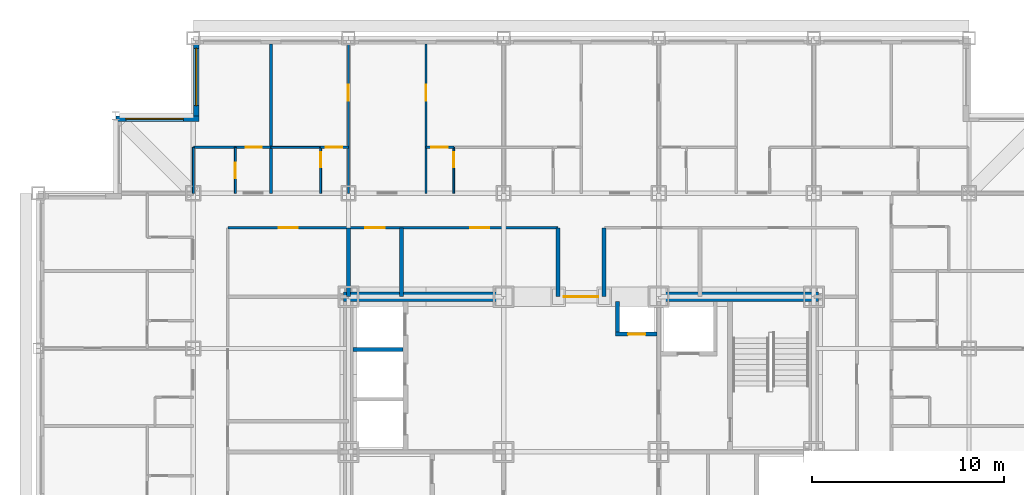
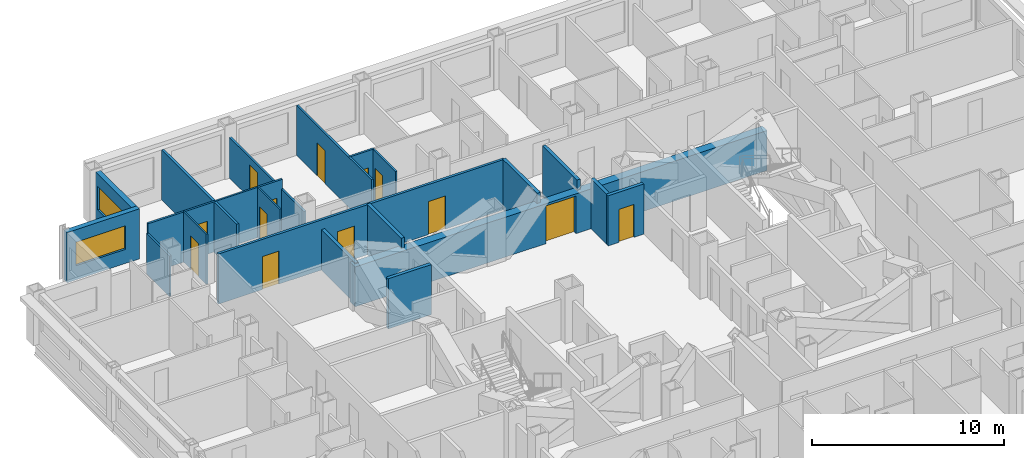
# One storey, part 10 of 15: 22 walls, 13 doors, 2 windows, 15 openings.
"""IFC4 building model written with IfcOpenShell, lengths in metres."""

import ifcopenshell
import ifcopenshell.guid

model = None  # the IFC model being written
_history = None  # IfcOwnerHistory: only IFC2X3 demands one
_inside = {}  # id of a spatial element -> (the spatial element, [elements in it])
_under = {}  # id of a project, library or spatial element -> (it, [spatial elements below it])
_declared = {}  # id of a project -> (the project, [libraries it declares])
_typed = {}  # id of a type object -> (the type object, [elements of that type])
_made_of = {}  # id of a material, layer set ... -> (it, [elements and type objects made of it])


def new_model(schema):
    """Start an empty IFC model of exactly this schema.

    Asked for "IFC4X3", IfcOpenShell would pick the latest addendum, in which some entities
    have other attributes; the version numbers below select the first issue.
    IFC2X3 requires an IfcOwnerHistory on every rooted entity: one is made here for all.
    """
    global model, _history
    if schema == "IFC4X3":
        model = ifcopenshell.file(schema_version=(4, 3, 0, 0))
    else:
        model = ifcopenshell.file(schema=schema)
    _inside.clear()
    _under.clear()
    _declared.clear()
    _typed.clear()
    _made_of.clear()
    _history = None
    if model.schema == "IFC2X3":
        org = make("IfcOrganization", Name="unknown")
        user = make(
            "IfcPersonAndOrganization",
            ThePerson=make("IfcPerson", FamilyName="unknown"),
            TheOrganization=org,
        )
        app = make(
            "IfcApplication",
            ApplicationDeveloper=org,
            Version="unknown",
            ApplicationFullName="unknown",
            ApplicationIdentifier="unknown",
        )
        _history = make(
            "IfcOwnerHistory",
            OwningUser=user,
            OwningApplication=app,
            ChangeAction="ADDED",
            CreationDate=0,
        )
    return model


def make(cls, **values):
    """One entity of the class cls with the attributes given. An attribute that is None is left unset."""
    return model.create_entity(
        cls, **{name: value for name, value in values.items() if value is not None}
    )


def rooted(cls, **values):
    """An entity with a GlobalId (a new one), such as an element, a storey or a relation."""
    return make(cls, GlobalId=ifcopenshell.guid.new(), OwnerHistory=_history, **values)


def si_unit(unit_type, name, prefix=None):
    """IfcSIUnit, for example si_unit("LENGTHUNIT", "METRE", prefix="MILLI")."""
    return make("IfcSIUnit", UnitType=unit_type, Prefix=prefix, Name=name)


def assignment(units):
    """IfcUnitAssignment: the units of a project."""
    return None if units is None else make("IfcUnitAssignment", Units=units)


def point(xyz):
    """IfcCartesianPoint."""
    return None if xyz is None else make("IfcCartesianPoint", Coordinates=xyz)


def direction(xyz):
    """IfcDirection."""
    return None if xyz is None else make("IfcDirection", DirectionRatios=xyz)


def frame(location, z_axis=None, x_axis=None):
    """IfcAxis2Placement3D, a coordinate frame: its origin and axes. An axis left out is left unset."""
    return make(
        "IfcAxis2Placement3D",
        Location=point(location),
        Axis=direction(z_axis),
        RefDirection=direction(x_axis),
    )


def frame_2d(location, x_axis=None):
    """IfcAxis2Placement2D, a coordinate frame in the plane: its origin and x axis."""
    return make(
        "IfcAxis2Placement2D", Location=point(location), RefDirection=direction(x_axis)
    )


def origin():
    """The frame at (0, 0, 0) with its axes left unset."""
    return frame((0.0, 0.0, 0.0))


def place(relative_to, where):
    """IfcLocalPlacement: puts the frame where relative to a parent placement (None: the world)."""
    return make(
        "IfcLocalPlacement", PlacementRelTo=relative_to, RelativePlacement=where
    )


def context(
    kind, dimensions, precision=None, world=None, true_north=None, identifier=None
):
    """IfcGeometricRepresentationContext, for example the 3D "Model" context."""
    return make(
        "IfcGeometricRepresentationContext",
        ContextIdentifier=identifier,
        ContextType=kind,
        CoordinateSpaceDimension=dimensions,
        Precision=precision,
        WorldCoordinateSystem=world,
        TrueNorth=true_north,
    )


def subcontext(parent, identifier, kind, view, scale=None):
    """IfcGeometricRepresentationSubContext, for example "Body" below "Model"."""
    return make(
        "IfcGeometricRepresentationSubContext",
        ContextIdentifier=identifier,
        ContextType=kind,
        ParentContext=parent,
        TargetScale=scale,
        TargetView=view,
    )


def project(units=None, contexts=None):
    """IfcProject with its units and contexts."""
    return rooted(
        "IfcProject",
        Name="project",
        RepresentationContexts=contexts,
        UnitsInContext=assignment(units),
    )


def spatial(cls, under=None, at=None, **own):
    """A site, building, storey or space (cls), placed at a placement, below another one or the project."""
    s = rooted(cls, ObjectPlacement=at, **own)
    if under is not None:
        _under.setdefault(under.id(), (under, []))[1].append(s)
    return s


def profile(cls, at=None, kind="AREA", **sizes):
    """A parametric profile (cls). Its sizes go by their IFC names, for example OverallWidth=200.0."""
    return make(cls, ProfileType=kind, Position=at, **sizes)


def rectangle(**sizes):
    """IfcRectangleProfileDef."""
    return profile("IfcRectangleProfileDef", **sizes)


def extrude(swept, where, along, depth):
    """IfcExtrudedAreaSolid: the profile swept, set in the frame where, extruded along a direction by depth."""
    return make(
        "IfcExtrudedAreaSolid",
        SweptArea=swept,
        Position=where,
        ExtrudedDirection=direction(along),
        Depth=depth,
    )


def shape(context_of_items, identifier, shape_type, items):
    """IfcShapeRepresentation: the items that make up one representation, for example the "Body"."""
    return make(
        "IfcShapeRepresentation",
        ContextOfItems=context_of_items,
        RepresentationIdentifier=identifier,
        RepresentationType=shape_type,
        Items=items,
    )


def material(Name=None, Category=None):
    """IfcMaterial."""
    return make("IfcMaterial", Name=Name, Category=Category)


def layer(
    of_material, thickness, ventilated=None, Name=None, Category=None, Priority=None
):
    """IfcMaterialLayer: one layer of a wall or slab, of a material (None: an air gap)."""
    return make(
        "IfcMaterialLayer",
        Material=of_material,
        LayerThickness=thickness,
        IsVentilated=ventilated,
        Name=Name,
        Category=Category,
        Priority=Priority,
    )


def layer_set(layers, Name=None):
    """IfcMaterialLayerSet."""
    return make("IfcMaterialLayerSet", MaterialLayers=layers, LayerSetName=Name)


def made_of(thing, what):
    """Note that an element or type object is made of a material, layer set ...; save() writes the relation."""
    if what is not None:
        _made_of.setdefault(what.id(), (what, []))[1].append(thing)
    return thing


def type_object(cls, material=None, **own):
    """A type object (cls), such as IfcWallType, which elements share."""
    return made_of(rooted(cls, **own), material)


def element(
    cls,
    number,
    at=None,
    inside=None,
    cuts=None,
    type_object=None,
    material=None,
    context=None,
    identifier="Body",
    shape_type=None,
    held_by="IfcProductDefinitionShape",
    body=None,
    shapes=None,
    **own,
):
    """One element of the class cls, such as IfcWall. Its Tag is "e" and its number.

    at: its placement. inside: the storey or other place that contains it. cuts: it is an
    opening in that element (IfcRelVoidsElement). A single representation is given by context,
    identifier, shape_type and body (its items); several are given by shapes. held_by: the class
    of the entity that holds the representations. save() writes the other relations.
    """
    e = rooted(cls, Tag="e%d" % number, ObjectPlacement=at, **own)
    if body is not None:
        shapes = [shape(context, identifier, shape_type, body)]
    if shapes is not None:
        e.Representation = make(held_by, Representations=shapes)
    if inside is not None:
        _inside.setdefault(inside.id(), (inside, []))[1].append(e)
    if cuts is not None:
        rooted(
            "IfcRelVoidsElement", RelatingBuildingElement=cuts, RelatedOpeningElement=e
        )
    if type_object is not None:
        _typed.setdefault(type_object.id(), (type_object, []))[1].append(e)
    return made_of(e, material)


def fill(opening, filler):
    """IfcRelFillsElement: the door or window that sits in an opening."""
    return rooted(
        "IfcRelFillsElement",
        RelatingOpeningElement=opening,
        RelatedBuildingElement=filler,
    )


def aggregate(whole, parts):
    """IfcRelAggregates: a whole, such as a stair, and the parts it consists of."""
    return rooted("IfcRelAggregates", RelatingObject=whole, RelatedObjects=parts)


def save(model, path):
    """Write the relations noted so far, then the file.

    IfcRelAggregates (storeys below a building ...), IfcRelContainedInSpatialStructure (elements
    in a storey), IfcRelDefinesByType, IfcRelAssociatesMaterial and IfcRelDeclares: one each for
    every whole, place, type object, material and project.
    """
    for whole, parts in _under.values():
        aggregate(whole, parts)
    for where, things in _inside.values():
        rooted(
            "IfcRelContainedInSpatialStructure",
            RelatedElements=things,
            RelatingStructure=where,
        )
    for kind, things in _typed.values():
        rooted("IfcRelDefinesByType", RelatedObjects=things, RelatingType=kind)
    for what, things in _made_of.values():
        rooted("IfcRelAssociatesMaterial", RelatedObjects=things, RelatingMaterial=what)
    for by, libraries in _declared.values():
        rooted("IfcRelDeclares", RelatingContext=by, RelatedDefinitions=libraries)
    model.write(path)


model = new_model("IFC4")

# Units and contexts
model_context = context("Model", 3, precision=1e-05, world=origin(), true_north=direction((0.0, 1.0)))
body_context = subcontext(model_context, "Body", "Model", "MODEL_VIEW")
ifc_project = project(units=[si_unit("LENGTHUNIT", "METRE"), si_unit("AREAUNIT", "SQUARE_METRE"), si_unit("VOLUMEUNIT", "CUBIC_METRE"), si_unit("PLANEANGLEUNIT", "RADIAN"), si_unit("MASSUNIT", "GRAM", prefix="KILO")], contexts=[model_context])

# Site, building, storey
site_placement = place(None, origin())
site = spatial("IfcSite", under=ifc_project, at=site_placement, CompositionType="ELEMENT")
building_placement = place(site_placement, origin())
building = spatial("IfcBuilding", under=site, at=building_placement, Name="Kopane Lantern Tower", CompositionType="ELEMENT")
storey_placement = place(building_placement, frame((0.0, 0.0, 140.800048828125)))
storey = spatial("IfcBuildingStorey", under=building, at=storey_placement, Name="L36", CompositionType="ELEMENT", Elevation=140.800048828125)

# Wall, opening, door
ifc_material_1 = material(Name="Gypsum board on steel studs", Category="steel")
ifc_layer_1 = layer(ifc_material_1, 0.1201171875)
ifc_layer_set_1 = layer_set([ifc_layer_1], Name="APARTMENT INTERNAL WALL 120")
wall_type_1 = type_object("IfcWallType", Name="APARTMENT INTERNAL WALL 120", PredefinedType="PARTITIONING", material=ifc_layer_set_1)
wall_1_placement = place(storey_placement, frame((16.199951171875, 45.89990234375, 0.0), z_axis=(0.0, 0.0, 1.0), x_axis=(0.0, 1.0, 0.0)))
wall_1 = element("IfcWall", 1, at=wall_1_placement, inside=storey, type_object=wall_type_1, Name="Apartment Internal Wall 120 L36", PredefinedType="PARTITIONING", context=body_context, shape_type="SweptSolid", body=[
    extrude(rectangle(XDim=7.800048828125, YDim=0.1201171875, at=frame_2d((3.89990234375, 0.0))), origin(), (0.0, 0.0, 1.0), 2.57763671875),
])
opening_1_placement = place(wall_1_placement, frame((4.824951171875, 0.0, 0.0)))
opening_1 = element("IfcOpeningElement", 2, at=opening_1_placement, cuts=wall_1, Name="Opening L36-033", PredefinedType="OPENING", context=body_context, shape_type="SweptSolid", body=[
    extrude(rectangle(XDim=0.85009765625, YDim=2.10009765625, at=frame_2d((0.425048828125, 1.050048828125))), frame((0.0, 0.070068359375, 0.0), z_axis=(0.0, -1.0, 0.0), x_axis=(1.0, 0.0, 0.0)), (0.0, 0.0, 1.0), 0.14013671875),
])
ifc_material_2 = material(Name="Timber door set", Category="wood")
door_type_1 = type_object("IfcDoorType", Name="DOOR D4 850x2100", OperationType="SINGLE_SWING_LEFT", PredefinedType="DOOR", material=ifc_material_2)
door_1_placement = place(opening_1_placement, origin())
door_1 = element("IfcDoor", 3, at=door_1_placement, inside=storey, type_object=door_type_1, Name="Door L36-033", OperationType="SINGLE_SWING_LEFT", OverallHeight=2.10009765625, OverallWidth=0.85009765625, PredefinedType="DOOR", context=body_context, shape_type="SweptSolid", body=[
    extrude(rectangle(XDim=0.85009765625, YDim=2.10009765625, at=frame_2d((0.425048828125, 1.050048828125))), frame((0.0, 0.02490234375, 0.0), z_axis=(0.0, -1.0, 0.0), x_axis=(1.0, 0.0, 0.0)), (0.0, 0.0, 1.0), 0.050048828125),
])
fill(opening_1, door_1)

wall_2_placement = place(storey_placement, frame((20.25, 45.89990234375, 0.0), z_axis=(0.0, 0.0, 1.0), x_axis=(0.0, 1.0, 0.0)))
wall_2 = element("IfcWall", 4, at=wall_2_placement, inside=storey, type_object=wall_type_1, Name="Apartment Internal Wall 120 L36", PredefinedType="PARTITIONING", context=body_context, shape_type="SweptSolid", body=[
    extrude(rectangle(XDim=7.800048828125, YDim=0.1201171875, at=frame_2d((3.89990234375, 0.0))), origin(), (0.0, 0.0, 1.0), 3.18994140625),
])
opening_2_placement = place(wall_2_placement, frame((4.824951171875, 0.0, 0.0)))
opening_2 = element("IfcOpeningElement", 5, at=opening_2_placement, cuts=wall_2, Name="Opening L36-035", PredefinedType="OPENING", context=body_context, shape_type="SweptSolid", body=[
    extrude(rectangle(XDim=0.85009765625, YDim=2.10009765625, at=frame_2d((0.425048828125, 1.050048828125))), frame((0.0, 0.070068359375, 0.0), z_axis=(0.0, -1.0, 0.0), x_axis=(1.0, 0.0, 0.0)), (0.0, 0.0, 1.0), 0.14013671875),
])
door_2_placement = place(opening_2_placement, origin())
door_2 = element("IfcDoor", 6, at=door_2_placement, inside=storey, type_object=door_type_1, Name="Door L36-035", OperationType="SINGLE_SWING_RIGHT", OverallHeight=2.10009765625, OverallWidth=0.85009765625, PredefinedType="DOOR", context=body_context, shape_type="SweptSolid", body=[
    extrude(rectangle(XDim=0.85009765625, YDim=2.10009765625, at=frame_2d((0.425048828125, 1.050048828125))), frame((0.0, 0.02490234375, 0.0), z_axis=(0.0, -1.0, 0.0), x_axis=(1.0, 0.0, 0.0)), (0.0, 0.0, 1.0), 0.050048828125),
])
fill(opening_2, door_2)

wall_3_placement = place(storey_placement, frame((8.10009765625, 48.300048828125, 0.0), z_axis=(0.0, 0.0, 1.0), x_axis=(1.0, 0.0, 0.0)))
wall_3 = element("IfcWall", 7, at=wall_3_placement, inside=storey, type_object=wall_type_1, Name="Apartment Internal Wall 120 L36", PredefinedType="PARTITIONING", context=body_context, shape_type="SweptSolid", body=[
    extrude(rectangle(XDim=4.0498046875, YDim=0.1201171875, at=frame_2d((2.02490234375, 0.0))), origin(), (0.0, 0.0, 1.0), 3.18994140625),
])
opening_3_placement = place(wall_3_placement, frame((2.72509765625, 0.0, 0.0)))
opening_3 = element("IfcOpeningElement", 8, at=opening_3_placement, cuts=wall_3, Name="Opening L36-086", PredefinedType="OPENING", context=body_context, shape_type="SweptSolid", body=[
    extrude(rectangle(XDim=0.85009765625, YDim=2.10009765625, at=frame_2d((0.425048828125, 1.050048828125))), frame((0.0, 0.070068359375, 0.0), z_axis=(0.0, -1.0, 0.0), x_axis=(1.0, 0.0, 0.0)), (0.0, 0.0, 1.0), 0.14013671875),
])
door_3_placement = place(opening_3_placement, origin())
door_3 = element("IfcDoor", 9, at=door_3_placement, inside=storey, type_object=door_type_1, Name="Door L36-086", OperationType="SINGLE_SWING_RIGHT", OverallHeight=2.10009765625, OverallWidth=0.85009765625, PredefinedType="DOOR", context=body_context, shape_type="SweptSolid", body=[
    extrude(rectangle(XDim=0.85009765625, YDim=2.10009765625, at=frame_2d((0.425048828125, 1.050048828125))), frame((0.0, 0.02490234375, 0.0), z_axis=(0.0, -1.0, 0.0), x_axis=(1.0, 0.0, 0.0)), (0.0, 0.0, 1.0), 0.050048828125),
])
fill(opening_3, door_3)

wall_4_placement = place(storey_placement, frame((14.739990234375, 48.300048828125, 0.0), z_axis=(0.0, 0.0, 1.0), x_axis=(1.0, 0.0, 0.0)))
wall_4 = element("IfcWall", 10, at=wall_4_placement, inside=storey, type_object=wall_type_1, Name="Apartment Internal Wall 120 L36", PredefinedType="PARTITIONING", context=body_context, shape_type="SweptSolid", body=[
    extrude(rectangle(XDim=1.4599609375, YDim=0.1201171875, at=frame_2d((0.72998046875, 0.0))), origin(), (0.0, 0.0, 1.0), 3.18994140625),
])
opening_4_placement = place(wall_4_placement, frame((0.27490234375, 0.0, 0.0)))
opening_4 = element("IfcOpeningElement", 11, at=opening_4_placement, cuts=wall_4, Name="Opening L36-090", PredefinedType="OPENING", context=body_context, shape_type="SweptSolid", body=[
    extrude(rectangle(XDim=0.85009765625, YDim=2.10009765625, at=frame_2d((0.425048828125, 1.050048828125))), frame((0.0, 0.070068359375, 0.0), z_axis=(0.0, -1.0, 0.0), x_axis=(1.0, 0.0, 0.0)), (0.0, 0.0, 1.0), 0.14013671875),
])
door_4_placement = place(opening_4_placement, origin())
door_4 = element("IfcDoor", 12, at=door_4_placement, inside=storey, type_object=door_type_1, Name="Door L36-090", OperationType="SINGLE_SWING_RIGHT", OverallHeight=2.10009765625, OverallWidth=0.85009765625, PredefinedType="DOOR", context=body_context, shape_type="SweptSolid", body=[
    extrude(rectangle(XDim=0.85009765625, YDim=2.10009765625, at=frame_2d((0.425048828125, 1.050048828125))), frame((0.0, 0.02490234375, 0.0), z_axis=(0.0, -1.0, 0.0), x_axis=(1.0, 0.0, 0.0)), (0.0, 0.0, 1.0), 0.050048828125),
])
fill(opening_4, door_4)

wall_5_placement = place(storey_placement, frame((20.25, 48.300048828125, 0.0), z_axis=(0.0, 0.0, 1.0), x_axis=(1.0, 0.0, 0.0)))
wall_5 = element("IfcWall", 13, at=wall_5_placement, inside=storey, type_object=wall_type_1, Name="Apartment Internal Wall 120 L36", PredefinedType="PARTITIONING", context=body_context, shape_type="SweptSolid", body=[
    extrude(rectangle(XDim=1.4599609375, YDim=0.1201171875, at=frame_2d((0.72998046875, 0.0))), origin(), (0.0, 0.0, 1.0), 3.18994140625),
])
opening_5_placement = place(wall_5_placement, frame((0.27490234375, 0.0, 0.0)))
opening_5 = element("IfcOpeningElement", 14, at=opening_5_placement, cuts=wall_5, Name="Opening L36-091", PredefinedType="OPENING", context=body_context, shape_type="SweptSolid", body=[
    extrude(rectangle(XDim=0.85009765625, YDim=2.10009765625, at=frame_2d((0.425048828125, 1.050048828125))), frame((0.0, 0.070068359375, 0.0), z_axis=(0.0, -1.0, 0.0), x_axis=(1.0, 0.0, 0.0)), (0.0, 0.0, 1.0), 0.14013671875),
])
door_5_placement = place(opening_5_placement, origin())
door_5 = element("IfcDoor", 15, at=door_5_placement, inside=storey, type_object=door_type_1, Name="Door L36-091", OperationType="SINGLE_SWING_LEFT", OverallHeight=2.10009765625, OverallWidth=0.85009765625, PredefinedType="DOOR", context=body_context, shape_type="SweptSolid", body=[
    extrude(rectangle(XDim=0.85009765625, YDim=2.10009765625, at=frame_2d((0.425048828125, 1.050048828125))), frame((0.0, 0.02490234375, 0.0), z_axis=(0.0, -1.0, 0.0), x_axis=(1.0, 0.0, 0.0)), (0.0, 0.0, 1.0), 0.050048828125),
])
fill(opening_5, door_5)

# Wall
ifc_material_3 = material(Name="Moisture-resistant board on steel studs", Category="steel")
ifc_layer_2 = layer(ifc_material_3, 0.10009765625)
ifc_layer_set_2 = layer_set([ifc_layer_2], Name="BATHROOM WALL 100")
wall_type_2 = type_object("IfcWallType", Name="BATHROOM WALL 100", PredefinedType="PARTITIONING", material=ifc_layer_set_2)
wall_6_placement = place(storey_placement, frame((12.14990234375, 48.300048828125, 0.0), z_axis=(0.0, 0.0, 1.0), x_axis=(1.0, 0.0, 0.0)))
element("IfcWall", 16, at=wall_6_placement, inside=storey, type_object=wall_type_2, Name="Bathroom Wall 100 L36", PredefinedType="PARTITIONING", context=body_context, shape_type="SweptSolid", body=[
    extrude(rectangle(XDim=2.60009765625, YDim=0.10009765625, at=frame_2d((1.300048828125, 0.0))), origin(), (0.0, 0.0, 1.0), 3.18994140625),
])

# Wall, opening, door
wall_7_placement = place(storey_placement, frame((14.75, 45.89990234375, 0.0), z_axis=(0.0, 0.0, 1.0), x_axis=(0.0, 1.0, 0.0)))
wall_7 = element("IfcWall", 17, at=wall_7_placement, inside=storey, type_object=wall_type_2, Name="Bathroom Wall 100 L36", PredefinedType="PARTITIONING", context=body_context, shape_type="SweptSolid", body=[
    extrude(rectangle(XDim=2.400146484375, YDim=0.10009765625, at=frame_2d((1.2001953125, 0.0))), origin(), (0.0, 0.0, 1.0), 3.18994140625),
])
opening_6_placement = place(wall_7_placement, frame((1.35009765625, 0.0, 0.0)))
opening_6 = element("IfcOpeningElement", 18, at=opening_6_placement, cuts=wall_7, Name="Opening L36-032", PredefinedType="OPENING", context=body_context, shape_type="SweptSolid", body=[
    extrude(rectangle(XDim=0.800048828125, YDim=2.10009765625, at=frame_2d((0.39990234375, 1.050048828125))), frame((0.0, 0.06005859375, 0.0), z_axis=(0.0, -1.0, 0.0), x_axis=(1.0, 0.0, 0.0)), (0.0, 0.0, 1.0), 0.1201171875),
])
ifc_material_4 = material(Name="Timber door set", Category="wood")
door_type_2 = type_object("IfcDoorType", Name="DOOR D2 800x2100", OperationType="SINGLE_SWING_LEFT", PredefinedType="DOOR", material=ifc_material_4)
door_6_placement = place(opening_6_placement, origin())
door_6 = element("IfcDoor", 19, at=door_6_placement, inside=storey, type_object=door_type_2, Name="Door L36-032", OperationType="SINGLE_SWING_LEFT", OverallHeight=2.10009765625, OverallWidth=0.800048828125, PredefinedType="DOOR", context=body_context, shape_type="SweptSolid", body=[
    extrude(rectangle(XDim=0.800048828125, YDim=2.10009765625, at=frame_2d((0.39990234375, 1.050048828125))), frame((0.0, 0.02490234375, 0.0), z_axis=(0.0, -1.0, 0.0), x_axis=(1.0, 0.0, 0.0)), (0.0, 0.0, 1.0), 0.050048828125),
])
fill(opening_6, door_6)

wall_8_placement = place(storey_placement, frame((21.699951171875, 45.89990234375, 0.0), z_axis=(0.0, 0.0, 1.0), x_axis=(0.0, 1.0, 0.0)))
wall_8 = element("IfcWall", 20, at=wall_8_placement, inside=storey, type_object=wall_type_2, Name="Bathroom Wall 100 L36", PredefinedType="PARTITIONING", context=body_context, shape_type="SweptSolid", body=[
    extrude(rectangle(XDim=2.400146484375, YDim=0.10009765625, at=frame_2d((1.2001953125, 0.0))), origin(), (0.0, 0.0, 1.0), 3.18994140625),
])
opening_7_placement = place(wall_8_placement, frame((1.35009765625, 0.0, 0.0)))
opening_7 = element("IfcOpeningElement", 21, at=opening_7_placement, cuts=wall_8, Name="Opening L36-034", PredefinedType="OPENING", context=body_context, shape_type="SweptSolid", body=[
    extrude(rectangle(XDim=0.800048828125, YDim=2.10009765625, at=frame_2d((0.39990234375, 1.050048828125))), frame((0.0, 0.06005859375, 0.0), z_axis=(0.0, -1.0, 0.0), x_axis=(1.0, 0.0, 0.0)), (0.0, 0.0, 1.0), 0.1201171875),
])
door_7_placement = place(opening_7_placement, origin())
door_7 = element("IfcDoor", 22, at=door_7_placement, inside=storey, type_object=door_type_2, Name="Door L36-034", OperationType="SINGLE_SWING_RIGHT", OverallHeight=2.10009765625, OverallWidth=0.800048828125, PredefinedType="DOOR", context=body_context, shape_type="SweptSolid", body=[
    extrude(rectangle(XDim=0.800048828125, YDim=2.10009765625, at=frame_2d((0.39990234375, 1.050048828125))), frame((0.0, 0.02490234375, 0.0), z_axis=(0.0, -1.0, 0.0), x_axis=(1.0, 0.0, 0.0)), (0.0, 0.0, 1.0), 0.050048828125),
])
fill(opening_7, door_7)

wall_9_placement = place(storey_placement, frame((10.300048828125, 45.89990234375, 0.0), z_axis=(0.0, 0.0, 1.0), x_axis=(0.0, 1.0, 0.0)))
wall_9 = element("IfcWall", 23, at=wall_9_placement, inside=storey, type_object=wall_type_2, Name="Bathroom Wall 100 L36", PredefinedType="PARTITIONING", context=body_context, shape_type="SweptSolid", body=[
    extrude(rectangle(XDim=2.400146484375, YDim=0.10009765625, at=frame_2d((1.2001953125, 0.0))), origin(), (0.0, 0.0, 1.0), 3.18994140625),
])
opening_8_placement = place(wall_9_placement, frame((0.800048828125, 0.0, 0.0)))
opening_8 = element("IfcOpeningElement", 24, at=opening_8_placement, cuts=wall_9, Name="Opening L36-084", PredefinedType="OPENING", context=body_context, shape_type="SweptSolid", body=[
    extrude(rectangle(XDim=0.800048828125, YDim=2.10009765625, at=frame_2d((0.39990234375, 1.050048828125))), frame((0.0, 0.06005859375, 0.0), z_axis=(0.0, -1.0, 0.0), x_axis=(1.0, 0.0, 0.0)), (0.0, 0.0, 1.0), 0.1201171875),
])
door_8_placement = place(opening_8_placement, origin())
door_8 = element("IfcDoor", 25, at=door_8_placement, inside=storey, type_object=door_type_2, Name="Door L36-084", OperationType="SINGLE_SWING_LEFT", OverallHeight=2.10009765625, OverallWidth=0.800048828125, PredefinedType="DOOR", context=body_context, shape_type="SweptSolid", body=[
    extrude(rectangle(XDim=0.800048828125, YDim=2.10009765625, at=frame_2d((0.39990234375, 1.050048828125))), frame((0.0, 0.02490234375, 0.0), z_axis=(0.0, -1.0, 0.0), x_axis=(1.0, 0.0, 0.0)), (0.0, 0.0, 1.0), 0.050048828125),
])
fill(opening_8, door_8)

# Wall
wall_10_placement = place(storey_placement, frame((8.10009765625, 45.89990234375, 0.0), z_axis=(0.0, 0.0, 1.0), x_axis=(0.0, 1.0, 0.0)))
element("IfcWall", 26, at=wall_10_placement, inside=storey, type_object=wall_type_2, Name="Bathroom Wall 100 L36", PredefinedType="PARTITIONING", context=body_context, shape_type="SweptSolid", body=[
    extrude(rectangle(XDim=2.400146484375, YDim=0.10009765625, at=frame_2d((1.2001953125, 0.0))), origin(), (0.0, 0.0, 1.0), 2.57763671875),
])

# Wall, opening, door
ifc_material_5 = material(Name="Gypsum shaft wall EI 120", Category="gypsum")
ifc_layer_3 = layer(ifc_material_5, 0.5)
ifc_layer_set_3 = layer_set([ifc_layer_3], Name="CORE PERIMETER WALL 500 EI 120")
wall_type_3 = type_object("IfcWallType", Name="CORE PERIMETER WALL 500 EI 120", PredefinedType="SOLIDWALL", material=ifc_layer_set_3)
wall_11_placement = place(storey_placement, frame((15.949951171875, 40.5, 0.0), z_axis=(0.0, 0.0, 1.0), x_axis=(1.0, 0.0, 0.0)))
wall_11 = element("IfcWall", 27, at=wall_11_placement, inside=storey, type_object=wall_type_3, Name="Core shaft wall L36 PN", PredefinedType="SOLIDWALL", context=body_context, shape_type="SweptSolid", body=[
    extrude(rectangle(XDim=24.800048828125, YDim=0.5, at=frame_2d((12.39990234375, 0.0))), origin(), (0.0, 0.0, 1.0), 2.5400390625),
])
opening_9_placement = place(wall_11_placement, frame((11.5, 0.0, 0.0)))
opening_9 = element("IfcOpeningElement", 28, at=opening_9_placement, cuts=wall_11, Name="Opening 36.CE-N", PredefinedType="OPENING", context=body_context, shape_type="SweptSolid", body=[
    extrude(rectangle(XDim=1.800048828125, YDim=2.39990234375, at=frame_2d((0.89990234375, 1.199951171875))), frame((0.0, 0.260009765625, 0.0), z_axis=(0.0, -1.0, 0.0), x_axis=(1.0, 0.0, 0.0)), (0.0, 0.0, 1.0), 0.52001953125),
])
ifc_material_6 = material(Name="Steel door set", Category="steel")
door_type_3 = type_object("IfcDoorType", Name="CORE ENTRY DOOR 1800x2400 FD60S", OperationType="DOUBLE_DOOR_SINGLE_SWING", PredefinedType="DOOR", material=ifc_material_6)
door_9_placement = place(opening_9_placement, origin())
door_9 = element("IfcDoor", 29, at=door_9_placement, inside=storey, type_object=door_type_3, Name="Core entry door L36 north", OperationType="DOUBLE_DOOR_SINGLE_SWING", OverallHeight=2.39990234375, OverallWidth=1.800048828125, PredefinedType="DOOR", context=body_context, shape_type="SweptSolid", body=[
    extrude(rectangle(XDim=1.800048828125, YDim=2.39990234375, at=frame_2d((0.89990234375, 1.199951171875))), frame((0.0, 0.02490234375, 0.0), z_axis=(0.0, -1.0, 0.0), x_axis=(1.0, 0.0, 0.0)), (0.0, 0.0, 1.0), 0.050048828125),
])
fill(opening_9, door_9)

# Wall, openings, doors
ifc_material_7 = material(Name="Gypsum board on steel studs", Category="steel")
ifc_layer_4 = layer(ifc_material_7, 0.14990234375)
ifc_layer_set_4 = layer_set([ifc_layer_4], Name="CORRIDOR WALL 150 EI 60")
wall_type_4 = type_object("IfcWallType", Name="CORRIDOR WALL 150 EI 60", PredefinedType="PARTITIONING", material=ifc_layer_set_4)
wall_12_placement = place(storey_placement, frame((27.139892578125, 44.10009765625, 0.0), z_axis=(0.0, 0.0, 1.0), x_axis=(-1.0, 0.0, 0.0)))
wall_12 = element("IfcWall", 30, at=wall_12_placement, inside=storey, type_object=wall_type_4, Name="Corridor Wall 150 Ei 60 L36", PredefinedType="PARTITIONING", context=body_context, shape_type="SweptSolid", body=[
    extrude(rectangle(XDim=17.239990234375, YDim=0.14990234375, at=frame_2d((8.6201171875, 0.0))), origin(), (0.0, 0.0, 1.0), 3.18994140625),
])
opening_10_placement = place(wall_12_placement, frame((13.590087890625, 0.0, 0.0)))
opening_10 = element("IfcOpeningElement", 31, at=opening_10_placement, cuts=wall_12, Name="Opening L36-013", PredefinedType="OPENING", context=body_context, shape_type="SweptSolid", body=[
    extrude(rectangle(XDim=1.0, YDim=2.10009765625, at=frame_2d((0.5, 1.050048828125))), frame((0.0, 0.0849609375, 0.0), z_axis=(0.0, -1.0, 0.0), x_axis=(1.0, 0.0, 0.0)), (0.0, 0.0, 1.0), 0.169921875),
])
opening_11_placement = place(wall_12_placement, frame((9.051025390625, 0.0, 0.0)))
opening_11 = element("IfcOpeningElement", 32, at=opening_11_placement, cuts=wall_12, Name="Opening L36-014", PredefinedType="OPENING", context=body_context, shape_type="SweptSolid", body=[
    extrude(rectangle(XDim=1.0, YDim=2.10009765625, at=frame_2d((0.5, 1.050048828125))), frame((0.0, 0.0849609375, 0.0), z_axis=(0.0, -1.0, 0.0), x_axis=(1.0, 0.0, 0.0)), (0.0, 0.0, 1.0), 0.169921875),
])
opening_12_placement = place(wall_12_placement, frame((3.576171875, 0.0, 0.0)))
opening_12 = element("IfcOpeningElement", 33, at=opening_12_placement, cuts=wall_12, Name="Opening L36-015", PredefinedType="OPENING", context=body_context, shape_type="SweptSolid", body=[
    extrude(rectangle(XDim=1.0, YDim=2.10009765625, at=frame_2d((0.5, 1.050048828125))), frame((0.0, 0.0849609375, 0.0), z_axis=(0.0, -1.0, 0.0), x_axis=(1.0, 0.0, 0.0)), (0.0, 0.0, 1.0), 0.169921875),
])
ifc_material_8 = material(Name="Steel door set", Category="steel")
door_type_4 = type_object("IfcDoorType", Name="DOOR D5 1000x2100 FD60", OperationType="SINGLE_SWING_LEFT", PredefinedType="DOOR", material=ifc_material_8)
door_10_placement = place(opening_10_placement, origin())
door_10 = element("IfcDoor", 34, at=door_10_placement, inside=storey, type_object=door_type_4, Name="Door L36-013", OperationType="SINGLE_SWING_LEFT", OverallHeight=2.10009765625, OverallWidth=1.0, PredefinedType="DOOR", context=body_context, shape_type="SweptSolid", body=[
    extrude(rectangle(XDim=1.0, YDim=2.10009765625, at=frame_2d((0.5, 1.050048828125))), frame((0.0, 0.02490234375, 0.0), z_axis=(0.0, -1.0, 0.0), x_axis=(1.0, 0.0, 0.0)), (0.0, 0.0, 1.0), 0.050048828125),
])
fill(opening_10, door_10)
door_11_placement = place(opening_11_placement, origin())
door_11 = element("IfcDoor", 35, at=door_11_placement, inside=storey, type_object=door_type_4, Name="Door L36-014", OperationType="SINGLE_SWING_RIGHT", OverallHeight=2.10009765625, OverallWidth=1.0, PredefinedType="DOOR", context=body_context, shape_type="SweptSolid", body=[
    extrude(rectangle(XDim=1.0, YDim=2.10009765625, at=frame_2d((0.5, 1.050048828125))), frame((0.0, 0.02490234375, 0.0), z_axis=(0.0, -1.0, 0.0), x_axis=(1.0, 0.0, 0.0)), (0.0, 0.0, 1.0), 0.050048828125),
])
fill(opening_11, door_11)
door_12_placement = place(opening_12_placement, origin())
door_12 = element("IfcDoor", 36, at=door_12_placement, inside=storey, type_object=door_type_4, Name="Door L36-015", OperationType="SINGLE_SWING_LEFT", OverallHeight=2.10009765625, OverallWidth=1.0, PredefinedType="DOOR", context=body_context, shape_type="SweptSolid", body=[
    extrude(rectangle(XDim=1.0, YDim=2.10009765625, at=frame_2d((0.5, 1.050048828125))), frame((0.0, 0.02490234375, 0.0), z_axis=(0.0, -1.0, 0.0), x_axis=(1.0, 0.0, 0.0)), (0.0, 0.0, 1.0), 0.050048828125),
])
fill(opening_12, door_12)

# Wall
ifc_material_9 = material(Name="Gypsum board on steel studs", Category="steel")
ifc_layer_5 = layer(ifc_material_9, 0.14990234375)
ifc_layer_set_5 = layer_set([ifc_layer_5], Name="DEMISING WALL 150 EI 60")
wall_type_5 = type_object("IfcWallType", Name="DEMISING WALL 150 EI 60", PredefinedType="PARTITIONING", material=ifc_layer_set_5)
wall_13_placement = place(storey_placement, frame((12.14990234375, 45.89990234375, 0.0), z_axis=(0.0, 0.0, 1.0), x_axis=(0.0, 1.0, 0.0)))
element("IfcWall", 37, at=wall_13_placement, inside=storey, type_object=wall_type_5, Name="Demising Wall 150 Ei 60 L36", PredefinedType="PARTITIONING", context=body_context, shape_type="SweptSolid", body=[
    extrude(rectangle(XDim=7.800048828125, YDim=0.14990234375, at=frame_2d((3.89990234375, 0.0))), origin(), (0.0, 0.0, 1.0), 3.18994140625),
])

# Wall, opening, window
ifc_material_10 = material(Name="Terracotta rainscreen on light steel framing", Category="masonry")
ifc_layer_6 = layer(ifc_material_10, 0.300048828125)
ifc_layer_set_6 = layer_set([ifc_layer_6], Name="EXTERNAL WALL EW1 300 TERRACOTTA")
wall_type_6 = type_object("IfcWallType", Name="EXTERNAL WALL EW1 300 TERRACOTTA", PredefinedType="SOLIDWALL", material=ifc_layer_set_6)
wall_14_placement = place(storey_placement, frame((8.25, 53.699951171875, 0.0), z_axis=(0.0, 0.0, 1.0), x_axis=(0.0, -1.0, 0.0)))
wall_14 = element("IfcWall", 38, at=wall_14_placement, inside=storey, type_object=wall_type_6, Name="External wall W L36", PredefinedType="SOLIDWALL", context=body_context, shape_type="SweptSolid", body=[
    extrude(rectangle(XDim=3.75, YDim=0.300048828125, at=frame_2d((1.875, 0.0))), origin(), (0.0, 0.0, 1.0), 3.18994140625),
])
opening_13_placement = place(wall_14_placement, frame((0.22509765625, 0.0, 0.89990234375)))
opening_13 = element("IfcOpeningElement", 39, at=opening_13_placement, cuts=wall_14, Name="Opening WR300150", PredefinedType="OPENING", context=body_context, shape_type="SweptSolid", body=[
    extrude(rectangle(XDim=3.0, YDim=1.5, at=frame_2d((1.5, 0.75))), frame((0.0, 0.159912109375, 0.0), z_axis=(0.0, -1.0, 0.0), x_axis=(1.0, 0.0, 0.0)), (0.0, 0.0, 1.0), 0.320068359375),
])
ifc_material_11 = material(Name="Aluminium and clear glass", Category="aluminium")
window_type = type_object("IfcWindowType", Name="RIBBON WINDOW WR300150 3000x1500", PartitioningType="SINGLE_PANEL", PredefinedType="WINDOW", material=ifc_material_11)
window_1_placement = place(opening_13_placement, origin())
window_1 = element("IfcWindow", 40, at=window_1_placement, inside=storey, type_object=window_type, Name="Window W L36", OverallHeight=1.5, OverallWidth=3.0, PartitioningType="SINGLE_PANEL", PredefinedType="WINDOW", context=body_context, shape_type="SweptSolid", body=[
    extrude(rectangle(XDim=3.0, YDim=1.5, at=frame_2d((1.5, 0.75))), frame((0.0, 0.030029296875, 0.0), z_axis=(0.0, -1.0, 0.0), x_axis=(1.0, 0.0, 0.0)), (0.0, 0.0, 1.0), 0.06005859375),
])
fill(opening_13, window_1)

wall_15_placement = place(storey_placement, frame((8.39990234375, 49.800048828125, 0.0), z_axis=(0.0, 0.0, 1.0), x_axis=(-1.0, 0.0, 0.0)))
wall_15 = element("IfcWall", 41, at=wall_15_placement, inside=storey, type_object=wall_type_6, Name="External wall N L36", PredefinedType="SOLIDWALL", context=body_context, shape_type="SweptSolid", body=[
    extrude(rectangle(XDim=4.349853515625, YDim=0.300048828125, at=frame_2d((2.1748046875, 0.0))), origin(), (0.0, 0.0, 1.0), 3.18994140625),
])
opening_14_placement = place(wall_15_placement, frame((0.824951171875, 0.0, 0.89990234375)))
opening_14 = element("IfcOpeningElement", 42, at=opening_14_placement, cuts=wall_15, Name="Opening WR300150", PredefinedType="OPENING", context=body_context, shape_type="SweptSolid", body=[
    extrude(rectangle(XDim=3.0, YDim=1.5, at=frame_2d((1.5, 0.75))), frame((0.0, 0.159912109375, 0.0), z_axis=(0.0, -1.0, 0.0), x_axis=(1.0, 0.0, 0.0)), (0.0, 0.0, 1.0), 0.320068359375),
])
window_2_placement = place(opening_14_placement, origin())
window_2 = element("IfcWindow", 43, at=window_2_placement, inside=storey, type_object=window_type, Name="Window N L36", OverallHeight=1.5, OverallWidth=3.0, PartitioningType="SINGLE_PANEL", PredefinedType="WINDOW", context=body_context, shape_type="SweptSolid", body=[
    extrude(rectangle(XDim=3.0, YDim=1.5, at=frame_2d((1.5, 0.75))), frame((0.0, 0.030029296875, 0.0), z_axis=(0.0, -1.0, 0.0), x_axis=(1.0, 0.0, 0.0)), (0.0, 0.0, 1.0), 0.06005859375),
])
fill(opening_14, window_2)

# Walls
ifc_material_12 = material(Name="Concrete masonry", Category="masonry")
ifc_layer_7 = layer(ifc_material_12, 0.199951171875)
ifc_layer_set_7 = layer_set([ifc_layer_7], Name="PLANT ROOM WALL 200 EI 120")
wall_type_7 = type_object("IfcWallType", Name="PLANT ROOM WALL 200 EI 120", PredefinedType="SOLIDWALL", material=ifc_layer_set_7)
wall_16_placement = place(storey_placement, frame((16.199951171875, 40.5, 0.0), z_axis=(0.0, 0.0, 1.0), x_axis=(0.0, 1.0, 0.0)))
element("IfcWall", 44, at=wall_16_placement, inside=storey, type_object=wall_type_7, Name="Plant Room Wall 200 Ei 120 L36", PredefinedType="SOLIDWALL", context=body_context, shape_type="SweptSolid", body=[
    extrude(rectangle(XDim=3.60009765625, YDim=0.199951171875, at=frame_2d((1.800048828125, 0.0))), origin(), (0.0, 0.0, 1.0), 2.57763671875),
])
for number, where, z_axis, x_axis, name in (
    (45, (18.977783203125, 44.10009765625, 0.0), (0.0, 0.0, 1.0), (0.0, -1.0, 0.0), "Plant Room Wall 200 Ei 120 L36"),
    (46, (27.14990234375, 40.5, 0.0), (0.0, 0.0, 1.0), (0.0, 1.0, 0.0), "Plant Room Wall 200 Ei 120 L36"),
    (47, (29.550048828125, 40.5, 0.0), (0.0, 0.0, 1.0), (0.0, 1.0, 0.0), "Plant Room Wall 200 Ei 120 L36"),
):
    element("IfcWall", number, at=place(storey_placement, frame(where, z_axis=z_axis, x_axis=x_axis)), inside=storey, type_object=wall_type_7, Name=name, PredefinedType="SOLIDWALL", context=body_context, shape_type="SweptSolid", body=[
        extrude(rectangle(XDim=3.60009765625, YDim=0.199951171875, at=frame_2d((1.800048828125, 0.0))), origin(), (0.0, 0.0, 1.0), 3.18994140625),
    ])
ifc_material_13 = material(Name="Gypsum shaft wall EI 120", Category="gypsum")
ifc_layer_8 = layer(ifc_material_13, 0.199951171875)
ifc_layer_set_8 = layer_set([ifc_layer_8], Name="SHAFT WALL 200 EI 120")
wall_type_8 = type_object("IfcWallType", Name="SHAFT WALL 200 EI 120", PredefinedType="SOLIDWALL", material=ifc_layer_set_8)
wall_17_placement = place(storey_placement, frame((16.449951171875, 37.75, 0.0), z_axis=(0.0, 0.0, 1.0), x_axis=(1.0, 0.0, 0.0)))
element("IfcWall", 48, at=wall_17_placement, inside=storey, type_object=wall_type_8, Name="Core shaft wall L36 YLH23", PredefinedType="SOLIDWALL", context=body_context, shape_type="SweptSolid", body=[
    extrude(rectangle(XDim=2.60009765625, YDim=0.199951171875, at=frame_2d((1.300048828125, 0.0))), origin(), (0.0, 0.0, 1.0), 3.18994140625),
])
wall_18_placement = place(storey_placement, frame((30.25, 38.64990234375, 0.0), z_axis=(0.0, 0.0, 1.0), x_axis=(0.0, 1.0, 0.0)))
element("IfcWall", 49, at=wall_18_placement, inside=storey, type_object=wall_type_8, Name="Core shaft wall L36 XRS2", PredefinedType="SOLIDWALL", context=body_context, shape_type="SweptSolid", body=[
    extrude(rectangle(XDim=1.60009765625, YDim=0.199951171875, at=frame_2d((0.800048828125, 0.0))), origin(), (0.0, 0.0, 1.0), 3.18994140625),
])

# Wall, opening, door
wall_19_placement = place(storey_placement, frame((30.14990234375, 38.550048828125, 0.0), z_axis=(0.0, 0.0, 1.0), x_axis=(1.0, 0.0, 0.0)))
wall_19 = element("IfcWall", 50, at=wall_19_placement, inside=storey, type_object=wall_type_8, Name="Core shaft wall L36 YRS2", PredefinedType="SOLIDWALL", context=body_context, shape_type="SweptSolid", body=[
    extrude(rectangle(XDim=2.150146484375, YDim=0.199951171875, at=frame_2d((1.0751953125, 0.0))), origin(), (0.0, 0.0, 1.0), 3.18994140625),
])
opening_15_placement = place(wall_19_placement, frame((0.64990234375, 0.0, 0.0)))
opening_15 = element("IfcOpeningElement", 51, at=opening_15_placement, cuts=wall_19, Name="Opening 36.RS2", PredefinedType="OPENING", context=body_context, shape_type="SweptSolid", body=[
    extrude(rectangle(XDim=0.89990234375, YDim=2.10009765625, at=frame_2d((0.449951171875, 1.050048828125))), frame((0.0, 0.10986328125, 0.0), z_axis=(0.0, -1.0, 0.0), x_axis=(1.0, 0.0, 0.0)), (0.0, 0.0, 1.0), 0.219970703125),
])
ifc_material_14 = material(Name="Steel door set", Category="steel")
door_type_5 = type_object("IfcDoorType", Name="RISER ACCESS DOOR 900x2100 FD60", OperationType="SINGLE_SWING_LEFT", PredefinedType="DOOR", material=ifc_material_14)
door_13_placement = place(opening_15_placement, origin())
door_13 = element("IfcDoor", 52, at=door_13_placement, inside=storey, type_object=door_type_5, Name="Riser access door RS2 L36", OperationType="SINGLE_SWING_LEFT", OverallHeight=2.10009765625, OverallWidth=0.89990234375, PredefinedType="DOOR", context=body_context, shape_type="SweptSolid", body=[
    extrude(rectangle(XDim=0.89990234375, YDim=2.10009765625, at=frame_2d((0.449951171875, 1.050048828125))), frame((0.0, 0.02490234375, 0.0), z_axis=(0.0, -1.0, 0.0), x_axis=(1.0, 0.0, 0.0)), (0.0, 0.0, 1.0), 0.050048828125),
])
fill(opening_15, door_13)

save(model, "model.ifc")
